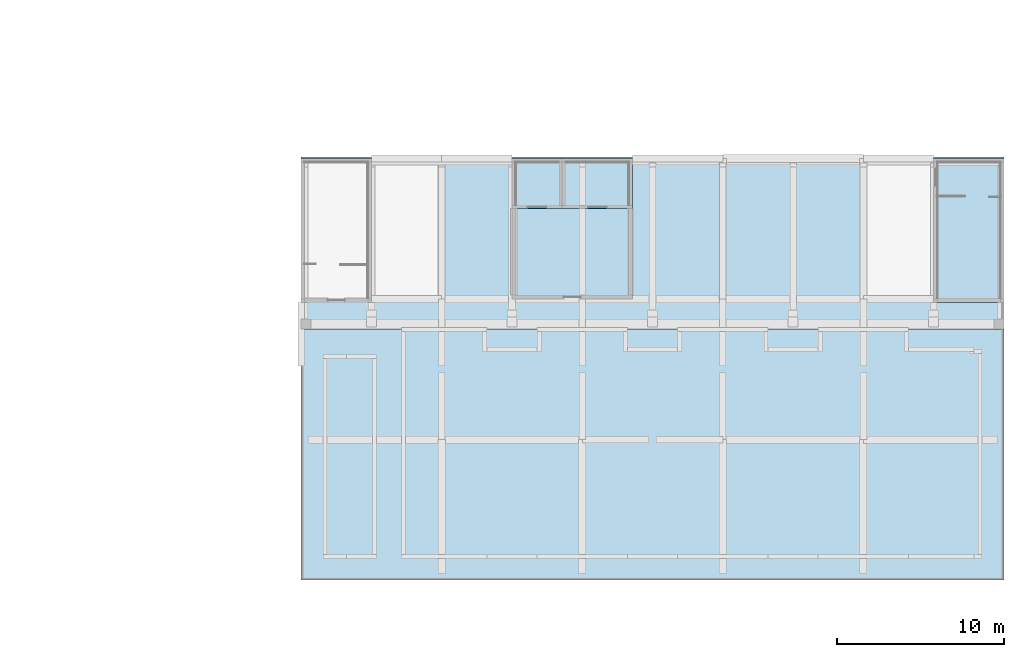
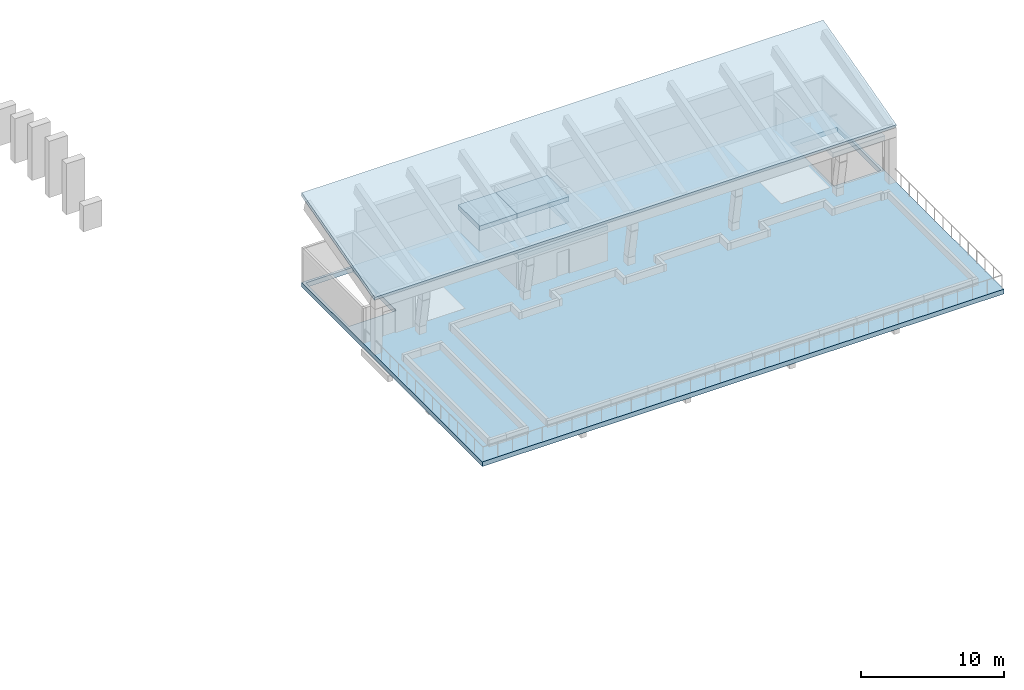
# One storey, part 36 of 67: 6 slabs.
"""IFC4 building model written with IfcOpenShell, lengths in metres."""

from ifc_helpers import new_model, si_unit, direction, frame, origin, place, context, subcontext, project, spatial, polyline, outline, extrude, material, layer, layer_set, type_object, element, save


model = new_model("IFC4")

# Units and contexts
model_context = context("Model", 3, precision=1e-05, world=origin(), true_north=direction((0.0, 1.0)))
body_context = subcontext(model_context, "Body", "Model", "MODEL_VIEW")
ifc_project = project(units=[si_unit("LENGTHUNIT", "METRE"), si_unit("AREAUNIT", "SQUARE_METRE"), si_unit("VOLUMEUNIT", "CUBIC_METRE"), si_unit("PLANEANGLEUNIT", "RADIAN"), si_unit("MASSUNIT", "GRAM", prefix="KILO")], contexts=[model_context])

# Site, building, storey
site_placement = place(None, origin())
site = spatial("IfcSite", under=ifc_project, at=site_placement, CompositionType="ELEMENT")
building_placement = place(site_placement, origin())
building = spatial("IfcBuilding", under=site, at=building_placement, Name="Kiln Court Media Centre", CompositionType="ELEMENT")
storey_placement = place(building_placement, frame((0.0, 0.0, 19.800048828125)))
storey = spatial("IfcBuildingStorey", under=building, at=storey_placement, Name="L04", CompositionType="ELEMENT", Elevation=19.800048828125)

# Slabs
ifc_material_1 = material(Name="Concrete C30/37", Category="concrete")
ifc_layer_1 = layer(ifc_material_1, 0.300048828125)
ifc_layer_set_1 = layer_set([ifc_layer_1], Name="Concrete C30/37 roof slab 300")
slab_type_1 = type_object("IfcSlabType", Name="Concrete C30/37 roof slab 300", PredefinedType="ROOF", material=ifc_layer_set_1)
slab_1_placement = place(storey_placement, frame((126.0, 15.0, 4.89990234375), z_axis=(0.0, -0.258826609853, 0.965923799289), x_axis=(1.0, 0.0, 0.0)))
element("IfcSlab", 1, at=slab_1_placement, inside=storey, type_object=slab_type_1, Name="L04-SL-1017", PredefinedType="ROOF", context=body_context, shape_type="SweptSolid", body=[
    extrude(outline(polyline([(0.0, 0.0), (42.0, 0.0), (42.0, 10.559788649360387), (0.0, 10.559788649360387), (0.0, 0.0)])), origin(), (0.0, 0.0, -1.0), 0.300048828125),
])
ifc_material_2 = material(Name="Concrete C30/37", Category="concrete")
ifc_layer_2 = layer(ifc_material_2, 0.39990234375)
ifc_layer_set_2 = layer_set([ifc_layer_2], Name="Concrete C30/37 roof slab 400")
slab_type_2 = type_object("IfcSlabType", Name="Concrete C30/37 roof slab 400", PredefinedType="ROOF", material=ifc_layer_set_2)
slab_2_placement = place(storey_placement, frame((0.0, 0.0, -0.400146484375)))
element("IfcSlab", 2, at=slab_2_placement, inside=storey, type_object=slab_type_2, Name="L04-SL-1004", PredefinedType="ROOF", context=body_context, shape_type="SweptSolid", body=[
    extrude(outline(polyline([(126.0, 0.0), (126.0, 25.199951171875), (138.60009765625, 25.199951171875), (138.60009765625, 22.199951171875), (145.800048828125, 22.199951171875), (145.800048828125, 25.199951171875), (168.0, 25.199951171875), (168.0, 0.0), (126.0, 0.0)]), holes=[polyline([(164.0, 16.800048828125), (167.800048828125, 16.800048828125), (167.800048828125, 22.860107421875), (164.0, 22.860107421875), (164.0, 16.800048828125)]), polyline([(126.199951171875, 18.93994140625), (130.0, 18.93994140625), (130.0, 25.0), (126.199951171875, 25.0), (126.199951171875, 18.93994140625)])]), origin(), (0.0, 0.0, 1.0), 0.400146484375),
])
slab_3_placement = place(storey_placement, frame((0.0, 0.0, 1.800048828125)))
element("IfcSlab", 3, at=slab_3_placement, inside=storey, type_object=slab_type_2, Name="L04-SL-1009", PredefinedType="ROOF", context=body_context, shape_type="SweptSolid", body=[
    extrude(outline(polyline([(138.60009765625, 22.199951171875), (138.60009765625, 25.199951171875), (141.60009765625, 25.199951171875), (141.60009765625, 22.199951171875), (138.60009765625, 22.199951171875)])), origin(), (0.0, 0.0, 1.0), 0.39990234375),
])
slab_4_placement = place(storey_placement, frame((0.0, 0.0, 1.800048828125)))
element("IfcSlab", 4, at=slab_4_placement, inside=storey, type_object=slab_type_2, Name="L04-SL-1010", PredefinedType="ROOF", context=body_context, shape_type="SweptSolid", body=[
    extrude(outline(polyline([(141.60009765625, 22.199951171875), (141.60009765625, 25.199951171875), (145.800048828125, 25.199951171875), (145.800048828125, 22.199951171875), (141.60009765625, 22.199951171875)])), origin(), (0.0, 0.0, 1.0), 0.39990234375),
])
slab_5_placement = place(storey_placement, frame((0.0, 0.0, 2.599853515625)))
element("IfcSlab", 5, at=slab_5_placement, inside=storey, type_object=slab_type_2, Name="L04-SL-1012", PredefinedType="ROOF", context=body_context, shape_type="SweptSolid", body=[
    extrude(outline(polyline([(138.60009765625, 16.800048828125), (138.60009765625, 22.199951171875), (145.800048828125, 22.199951171875), (145.800048828125, 16.800048828125), (138.60009765625, 16.800048828125)])), origin(), (0.0, 0.0, 1.0), 0.400146484375),
])
slab_6_placement = place(storey_placement, frame((0.0, 0.0, 2.599853515625)))
element("IfcSlab", 6, at=slab_6_placement, inside=storey, type_object=slab_type_2, Name="L04-SL-1013", PredefinedType="ROOF", context=body_context, shape_type="SweptSolid", body=[
    extrude(outline(polyline([(163.800048828125, 16.60009765625), (163.800048828125, 25.199951171875), (168.0, 25.199951171875), (168.0, 16.60009765625), (163.800048828125, 16.60009765625)])), origin(), (0.0, 0.0, 1.0), 0.400146484375),
])

save(model, "model.ifc")
